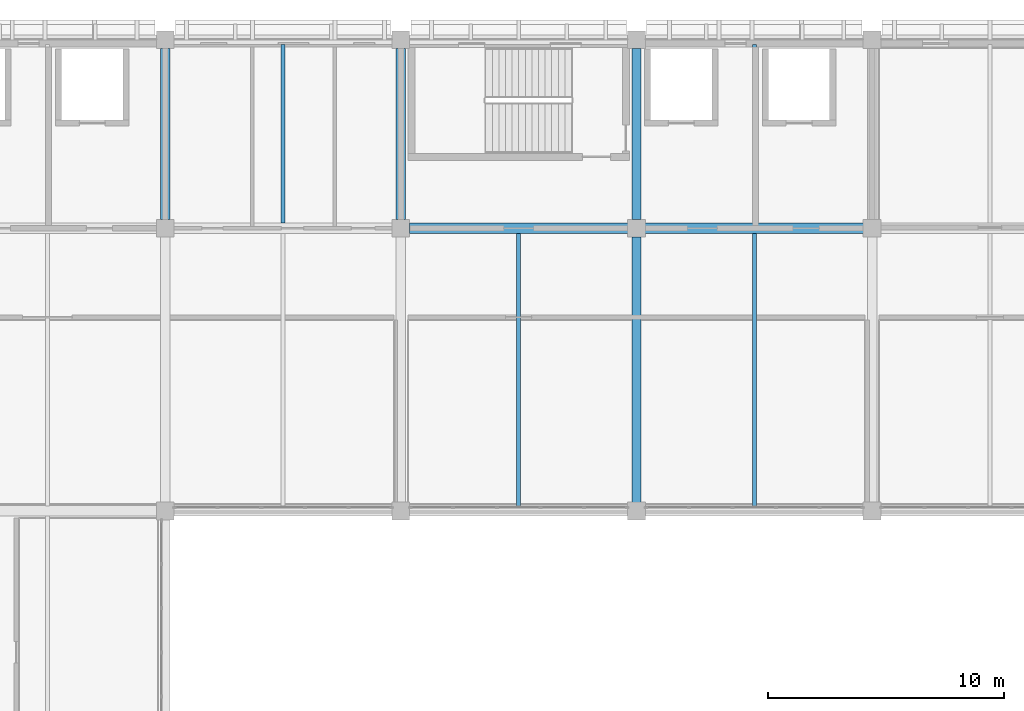
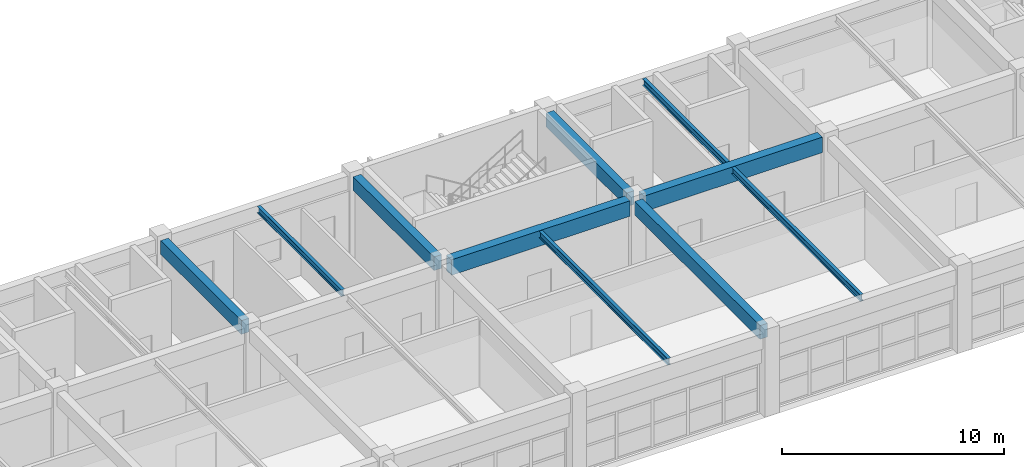
# One storey, part 58 of 109: 10 beams.
"""IFC4 building model written with IfcOpenShell, lengths in metres."""

from ifc_helpers import new_model, si_unit, direction, frame, origin, origin_2d, place, context, subcontext, project, spatial, rectangle, i_section, extrude, material, material_profile, profile_set, type_object, element, save


model = new_model("IFC4")

# Units and contexts
model_context = context("Model", 3, precision=1e-05, world=origin(), true_north=direction((0.0, 1.0)))
body_context = subcontext(model_context, "Body", "Model", "MODEL_VIEW")
ifc_project = project(units=[si_unit("LENGTHUNIT", "METRE"), si_unit("AREAUNIT", "SQUARE_METRE"), si_unit("VOLUMEUNIT", "CUBIC_METRE"), si_unit("PLANEANGLEUNIT", "RADIAN"), si_unit("MASSUNIT", "GRAM", prefix="KILO")], contexts=[model_context])

# Site, building, storey
site_placement = place(None, origin())
site = spatial("IfcSite", under=ifc_project, at=site_placement, CompositionType="ELEMENT")
building_placement = place(site_placement, origin())
building = spatial("IfcBuilding", under=site, at=building_placement, Name="Kivolera Central Railway Station", CompositionType="ELEMENT")
storey_placement = place(building_placement, frame((0.0, 0.0, 9.60009765625)))
storey = spatial("IfcBuildingStorey", under=building, at=storey_placement, Name="L02", CompositionType="ELEMENT", Elevation=9.60009765625)

# Beams
ifc_material_1 = material(Name="Steel S355", Category="steel")
ifc_material_profile_1 = material_profile(ifc_material_1, i_section(OverallWidth=0.169921875, OverallDepth=0.360107421875, WebThickness=0.008056640625, FlangeThickness=0.0126953125, FilletRadius=0.01806640625, at=origin_2d()), Name="IPE 360")
ifc_profile_set_1 = profile_set([ifc_material_profile_1], Name="Steel S355")
beam_type_1 = type_object("IfcBeamType", Name="BM-JST-IPE360", PredefinedType="JOIST", material=ifc_profile_set_1)
beam_1_placement = place(storey_placement, frame((143.0, 126.217041015625, 4.327880859375), z_axis=(0.0, 1.0, 0.0), x_axis=(-1.0, 0.0, 0.0)))
element("IfcBeam", 1, at=beam_1_placement, inside=storey, type_object=beam_type_1, Name="L02 Floor Joist 14-15/L-M", PredefinedType="JOIST", context=body_context, shape_type="SweptSolid", body=[
    extrude(i_section(OverallWidth=0.169921875, OverallDepth=0.360107421875, WebThickness=0.008056640625, FlangeThickness=0.0126953125, FilletRadius=0.01806640625, at=origin_2d()), origin(), (0.0, 0.0, 1.0), 7.591064453125),
])
for number, where, z_axis, x_axis, name in (
    (2, (153.0, 114.217041015625, 4.327880859375), (0.0, 1.0, 0.0), (-1.0, 0.0, 0.0), "L02 Floor Joist 15-16/K-L"),
    (3, (163.0, 114.217041015625, 4.327880859375), (0.0, 1.0, 0.0), (-1.0, 0.0, 0.0), "L02 Floor Joist 16-17/K-L"),
):
    element("IfcBeam", number, at=place(storey_placement, frame(where, z_axis=z_axis, x_axis=x_axis)), inside=storey, type_object=beam_type_1, Name=name, PredefinedType="JOIST", context=body_context, shape_type="SweptSolid", body=[
        extrude(i_section(OverallWidth=0.169921875, OverallDepth=0.360107421875, WebThickness=0.008056640625, FlangeThickness=0.0126953125, FilletRadius=0.01806640625, at=origin_2d()), origin(), (0.0, 0.0, 1.0), 11.56591796875),
    ])
beam_2_placement = place(storey_placement, frame((163.0, 126.217041015625, 4.327880859375), z_axis=(0.0, 1.0, 0.0), x_axis=(-1.0, 0.0, 0.0)))
element("IfcBeam", 4, at=beam_2_placement, inside=storey, type_object=beam_type_1, Name="L02 Floor Joist 16-17/L-M", PredefinedType="JOIST", context=body_context, shape_type="SweptSolid", body=[
    extrude(i_section(OverallWidth=0.169921875, OverallDepth=0.360107421875, WebThickness=0.008056640625, FlangeThickness=0.0126953125, FilletRadius=0.01806640625, at=origin_2d()), origin(), (0.0, 0.0, 1.0), 7.591064453125),
])
ifc_material_2 = material(Name="Concrete C40/50", Category="concrete")
ifc_material_profile_2 = material_profile(ifc_material_2, rectangle(XDim=0.39990234375, YDim=0.75, at=origin_2d()), Name="RC 400x750")
ifc_profile_set_2 = profile_set([ifc_material_profile_2], Name="Concrete C40/50")
beam_type_2 = type_object("IfcBeamType", Name="BM-RC-400x750", PredefinedType="BEAM", material=ifc_profile_set_2)
for number, where, z_axis, x_axis, name in (
    (5, (138.0, 126.366943359375, 4.14501953125), (0.0, 1.0, 0.0), (-1.0, 0.0, 0.0), "L02 Wing Y-Beam 14:L-M"),
    (6, (148.0, 126.366943359375, 4.14501953125), (0.0, 1.0, 0.0), (-1.0, 0.0, 0.0), "L02 Wing Y-Beam 15:L-M"),
):
    element("IfcBeam", number, at=place(storey_placement, frame(where, z_axis=z_axis, x_axis=x_axis)), inside=storey, type_object=beam_type_2, Name=name, PredefinedType="BEAM", context=body_context, shape_type="SweptSolid", body=[
        extrude(rectangle(XDim=0.39990234375, YDim=0.75, at=origin_2d()), origin(), (0.0, 0.0, 1.0), 7.26611328125),
    ])
beam_3_placement = place(storey_placement, frame((158.0, 114.366943359375, 4.14501953125), z_axis=(0.0, 1.0, 0.0), x_axis=(-1.0, 0.0, 0.0)))
element("IfcBeam", 7, at=beam_3_placement, inside=storey, type_object=beam_type_2, Name="L02 Wing Y-Beam 16:K-L", PredefinedType="BEAM", context=body_context, shape_type="SweptSolid", body=[
    extrude(rectangle(XDim=0.39990234375, YDim=0.75, at=origin_2d()), origin(), (0.0, 0.0, 1.0), 11.26611328125),
])
beam_4_placement = place(storey_placement, frame((158.0, 126.366943359375, 4.14501953125), z_axis=(0.0, 1.0, 0.0), x_axis=(-1.0, 0.0, 0.0)))
element("IfcBeam", 8, at=beam_4_placement, inside=storey, type_object=beam_type_2, Name="L02 Wing Y-Beam 16:L-M", PredefinedType="BEAM", context=body_context, shape_type="SweptSolid", body=[
    extrude(rectangle(XDim=0.39990234375, YDim=0.75, at=origin_2d()), origin(), (0.0, 0.0, 1.0), 7.26611328125),
])
ifc_material_profile_3 = material_profile(ifc_material_2, rectangle(XDim=0.449951171875, YDim=0.85009765625, at=origin_2d()), Name="RC 450x850")
ifc_profile_set_3 = profile_set([ifc_material_profile_3], Name="Concrete C40/50")
beam_type_3 = type_object("IfcBeamType", Name="BM-RC-450x850", PredefinedType="BEAM", material=ifc_profile_set_3)
for number, where, z_axis, x_axis, name in (
    (9, (148.366943359375, 126.0, 4.094970703125), (1.0, 0.0, 0.0), (0.0, 1.0, 0.0), "L02 Wing X-Beam L:15-16"),
    (10, (158.366943359375, 126.0, 4.094970703125), (1.0, 0.0, 0.0), (0.0, 1.0, 0.0), "L02 Wing X-Beam L:16-17"),
):
    element("IfcBeam", number, at=place(storey_placement, frame(where, z_axis=z_axis, x_axis=x_axis)), inside=storey, type_object=beam_type_3, Name=name, PredefinedType="BEAM", context=body_context, shape_type="SweptSolid", body=[
        extrude(rectangle(XDim=0.449951171875, YDim=0.85009765625, at=origin_2d()), origin(), (0.0, 0.0, 1.0), 9.26611328125),
    ])

save(model, "model.ifc")
